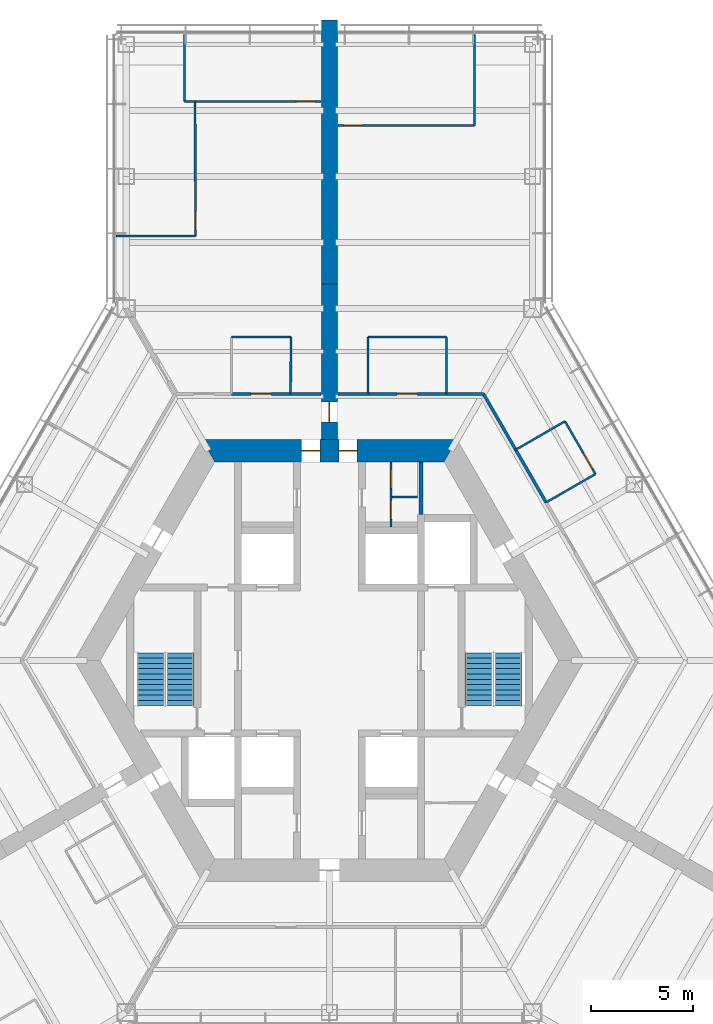
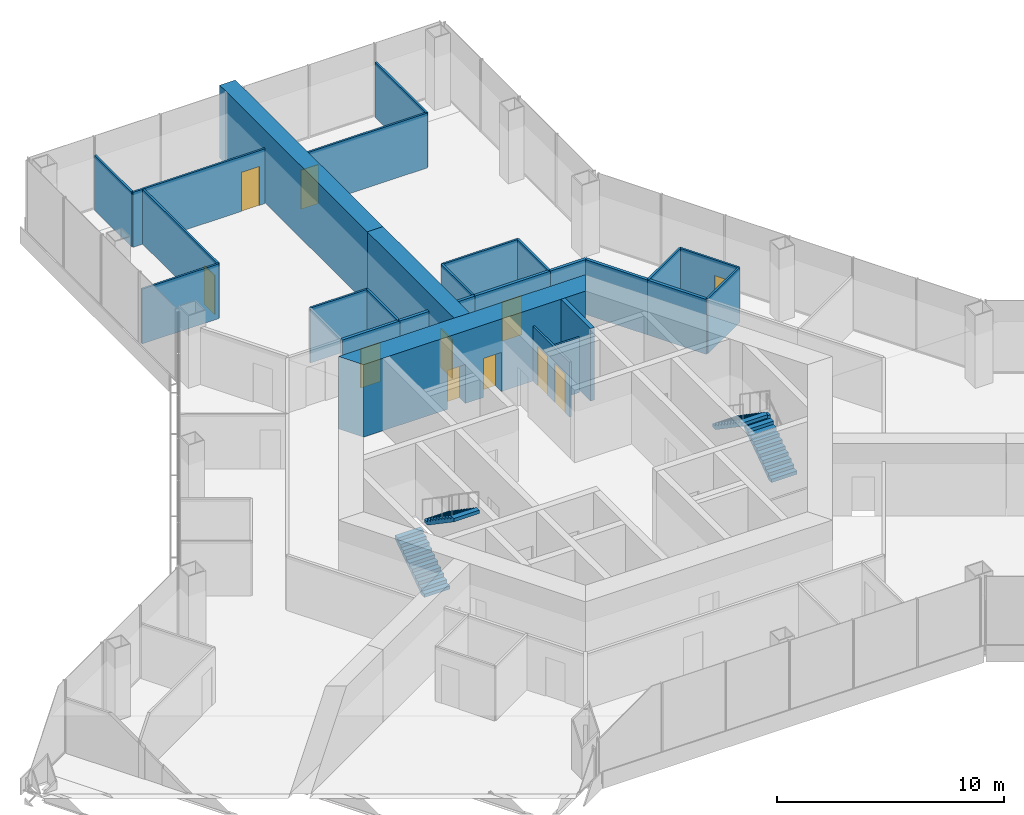
# One storey, part 15 of 18: 28 walls, 11 doors, 4 stair flights, 11 openings, 2 elements without a shape of their own.
"""IFC4 building model written with IfcOpenShell, lengths in metres."""

import ifcopenshell
import ifcopenshell.guid

model = None  # the IFC model being written
_history = None  # IfcOwnerHistory: only IFC2X3 demands one
_inside = {}  # id of a spatial element -> (the spatial element, [elements in it])
_under = {}  # id of a project, library or spatial element -> (it, [spatial elements below it])
_declared = {}  # id of a project -> (the project, [libraries it declares])
_typed = {}  # id of a type object -> (the type object, [elements of that type])
_made_of = {}  # id of a material, layer set ... -> (it, [elements and type objects made of it])


def new_model(schema):
    """Start an empty IFC model of exactly this schema.

    Asked for "IFC4X3", IfcOpenShell would pick the latest addendum, in which some entities
    have other attributes; the version numbers below select the first issue.
    IFC2X3 requires an IfcOwnerHistory on every rooted entity: one is made here for all.
    """
    global model, _history
    if schema == "IFC4X3":
        model = ifcopenshell.file(schema_version=(4, 3, 0, 0))
    else:
        model = ifcopenshell.file(schema=schema)
    _inside.clear()
    _under.clear()
    _declared.clear()
    _typed.clear()
    _made_of.clear()
    _history = None
    if model.schema == "IFC2X3":
        org = make("IfcOrganization", Name="unknown")
        user = make(
            "IfcPersonAndOrganization",
            ThePerson=make("IfcPerson", FamilyName="unknown"),
            TheOrganization=org,
        )
        app = make(
            "IfcApplication",
            ApplicationDeveloper=org,
            Version="unknown",
            ApplicationFullName="unknown",
            ApplicationIdentifier="unknown",
        )
        _history = make(
            "IfcOwnerHistory",
            OwningUser=user,
            OwningApplication=app,
            ChangeAction="ADDED",
            CreationDate=0,
        )
    return model


def make(cls, **values):
    """One entity of the class cls with the attributes given. An attribute that is None is left unset."""
    return model.create_entity(
        cls, **{name: value for name, value in values.items() if value is not None}
    )


def rooted(cls, **values):
    """An entity with a GlobalId (a new one), such as an element, a storey or a relation."""
    return make(cls, GlobalId=ifcopenshell.guid.new(), OwnerHistory=_history, **values)


def si_unit(unit_type, name, prefix=None):
    """IfcSIUnit, for example si_unit("LENGTHUNIT", "METRE", prefix="MILLI")."""
    return make("IfcSIUnit", UnitType=unit_type, Prefix=prefix, Name=name)


def assignment(units):
    """IfcUnitAssignment: the units of a project."""
    return None if units is None else make("IfcUnitAssignment", Units=units)


def point(xyz):
    """IfcCartesianPoint."""
    return None if xyz is None else make("IfcCartesianPoint", Coordinates=xyz)


def direction(xyz):
    """IfcDirection."""
    return None if xyz is None else make("IfcDirection", DirectionRatios=xyz)


def frame(location, z_axis=None, x_axis=None):
    """IfcAxis2Placement3D, a coordinate frame: its origin and axes. An axis left out is left unset."""
    return make(
        "IfcAxis2Placement3D",
        Location=point(location),
        Axis=direction(z_axis),
        RefDirection=direction(x_axis),
    )


def frame_2d(location, x_axis=None):
    """IfcAxis2Placement2D, a coordinate frame in the plane: its origin and x axis."""
    return make(
        "IfcAxis2Placement2D", Location=point(location), RefDirection=direction(x_axis)
    )


def origin():
    """The frame at (0, 0, 0) with its axes left unset."""
    return frame((0.0, 0.0, 0.0))


def place(relative_to, where):
    """IfcLocalPlacement: puts the frame where relative to a parent placement (None: the world)."""
    return make(
        "IfcLocalPlacement", PlacementRelTo=relative_to, RelativePlacement=where
    )


def context(
    kind, dimensions, precision=None, world=None, true_north=None, identifier=None
):
    """IfcGeometricRepresentationContext, for example the 3D "Model" context."""
    return make(
        "IfcGeometricRepresentationContext",
        ContextIdentifier=identifier,
        ContextType=kind,
        CoordinateSpaceDimension=dimensions,
        Precision=precision,
        WorldCoordinateSystem=world,
        TrueNorth=true_north,
    )


def subcontext(parent, identifier, kind, view, scale=None):
    """IfcGeometricRepresentationSubContext, for example "Body" below "Model"."""
    return make(
        "IfcGeometricRepresentationSubContext",
        ContextIdentifier=identifier,
        ContextType=kind,
        ParentContext=parent,
        TargetScale=scale,
        TargetView=view,
    )


def project(units=None, contexts=None):
    """IfcProject with its units and contexts."""
    return rooted(
        "IfcProject",
        Name="project",
        RepresentationContexts=contexts,
        UnitsInContext=assignment(units),
    )


def spatial(cls, under=None, at=None, **own):
    """A site, building, storey or space (cls), placed at a placement, below another one or the project."""
    s = rooted(cls, ObjectPlacement=at, **own)
    if under is not None:
        _under.setdefault(under.id(), (under, []))[1].append(s)
    return s


def polyline(points):
    """IfcPolyline through the points."""
    return make("IfcPolyline", Points=[point(p) for p in points])


def profile(cls, at=None, kind="AREA", **sizes):
    """A parametric profile (cls). Its sizes go by their IFC names, for example OverallWidth=200.0."""
    return make(cls, ProfileType=kind, Position=at, **sizes)


def rectangle(**sizes):
    """IfcRectangleProfileDef."""
    return profile("IfcRectangleProfileDef", **sizes)


def outline(outer, holes=None, kind="AREA"):
    """IfcArbitraryClosedProfileDef: a profile drawn as a closed curve; with holes, ...WithVoids."""
    if holes is None:
        return make("IfcArbitraryClosedProfileDef", ProfileType=kind, OuterCurve=outer)
    return make(
        "IfcArbitraryProfileDefWithVoids",
        ProfileType=kind,
        OuterCurve=outer,
        InnerCurves=holes,
    )


def extrude(swept, where, along, depth):
    """IfcExtrudedAreaSolid: the profile swept, set in the frame where, extruded along a direction by depth."""
    return make(
        "IfcExtrudedAreaSolid",
        SweptArea=swept,
        Position=where,
        ExtrudedDirection=direction(along),
        Depth=depth,
    )


def shape(context_of_items, identifier, shape_type, items):
    """IfcShapeRepresentation: the items that make up one representation, for example the "Body"."""
    return make(
        "IfcShapeRepresentation",
        ContextOfItems=context_of_items,
        RepresentationIdentifier=identifier,
        RepresentationType=shape_type,
        Items=items,
    )


def material(Name=None, Category=None):
    """IfcMaterial."""
    return make("IfcMaterial", Name=Name, Category=Category)


def layer(
    of_material, thickness, ventilated=None, Name=None, Category=None, Priority=None
):
    """IfcMaterialLayer: one layer of a wall or slab, of a material (None: an air gap)."""
    return make(
        "IfcMaterialLayer",
        Material=of_material,
        LayerThickness=thickness,
        IsVentilated=ventilated,
        Name=Name,
        Category=Category,
        Priority=Priority,
    )


def layer_set(layers, Name=None):
    """IfcMaterialLayerSet."""
    return make("IfcMaterialLayerSet", MaterialLayers=layers, LayerSetName=Name)


def made_of(thing, what):
    """Note that an element or type object is made of a material, layer set ...; save() writes the relation."""
    if what is not None:
        _made_of.setdefault(what.id(), (what, []))[1].append(thing)
    return thing


def type_object(cls, material=None, **own):
    """A type object (cls), such as IfcWallType, which elements share."""
    return made_of(rooted(cls, **own), material)


def element(
    cls,
    number,
    at=None,
    inside=None,
    cuts=None,
    type_object=None,
    material=None,
    context=None,
    identifier="Body",
    shape_type=None,
    held_by="IfcProductDefinitionShape",
    body=None,
    shapes=None,
    **own,
):
    """One element of the class cls, such as IfcWall. Its Tag is "e" and its number.

    at: its placement. inside: the storey or other place that contains it. cuts: it is an
    opening in that element (IfcRelVoidsElement). A single representation is given by context,
    identifier, shape_type and body (its items); several are given by shapes. held_by: the class
    of the entity that holds the representations. save() writes the other relations.
    """
    e = rooted(cls, Tag="e%d" % number, ObjectPlacement=at, **own)
    if body is not None:
        shapes = [shape(context, identifier, shape_type, body)]
    if shapes is not None:
        e.Representation = make(held_by, Representations=shapes)
    if inside is not None:
        _inside.setdefault(inside.id(), (inside, []))[1].append(e)
    if cuts is not None:
        rooted(
            "IfcRelVoidsElement", RelatingBuildingElement=cuts, RelatedOpeningElement=e
        )
    if type_object is not None:
        _typed.setdefault(type_object.id(), (type_object, []))[1].append(e)
    return made_of(e, material)


def fill(opening, filler):
    """IfcRelFillsElement: the door or window that sits in an opening."""
    return rooted(
        "IfcRelFillsElement",
        RelatingOpeningElement=opening,
        RelatedBuildingElement=filler,
    )


def aggregate(whole, parts):
    """IfcRelAggregates: a whole, such as a stair, and the parts it consists of."""
    return rooted("IfcRelAggregates", RelatingObject=whole, RelatedObjects=parts)


def save(model, path):
    """Write the relations noted so far, then the file.

    IfcRelAggregates (storeys below a building ...), IfcRelContainedInSpatialStructure (elements
    in a storey), IfcRelDefinesByType, IfcRelAssociatesMaterial and IfcRelDeclares: one each for
    every whole, place, type object, material and project.
    """
    for whole, parts in _under.values():
        aggregate(whole, parts)
    for where, things in _inside.values():
        rooted(
            "IfcRelContainedInSpatialStructure",
            RelatedElements=things,
            RelatingStructure=where,
        )
    for kind, things in _typed.values():
        rooted("IfcRelDefinesByType", RelatedObjects=things, RelatingType=kind)
    for what, things in _made_of.values():
        rooted("IfcRelAssociatesMaterial", RelatedObjects=things, RelatingMaterial=what)
    for by, libraries in _declared.values():
        rooted("IfcRelDeclares", RelatingContext=by, RelatedDefinitions=libraries)
    model.write(path)


model = new_model("IFC4")

# Units and contexts
model_context = context("Model", 3, precision=1e-05, world=origin(), true_north=direction((0.0, 1.0)))
body_context = subcontext(model_context, "Body", "Model", "MODEL_VIEW")
ifc_project = project(units=[si_unit("LENGTHUNIT", "METRE"), si_unit("AREAUNIT", "SQUARE_METRE"), si_unit("VOLUMEUNIT", "CUBIC_METRE"), si_unit("PLANEANGLEUNIT", "RADIAN"), si_unit("MASSUNIT", "GRAM", prefix="KILO")], contexts=[model_context])

# Site, building, storey
site_placement = place(None, origin())
site = spatial("IfcSite", under=ifc_project, at=site_placement, CompositionType="ELEMENT")
building_placement = place(site_placement, origin())
building = spatial("IfcBuilding", under=site, at=building_placement, Name="Kasaneha Research Tower", CompositionType="ELEMENT")
storey_placement = place(building_placement, frame((0.0, 0.0, 111.89990234375)))
storey = spatial("IfcBuildingStorey", under=building, at=storey_placement, Name="L28", CompositionType="ELEMENT", Elevation=111.89990234375)

# Wall, openings, doors
ifc_material_1 = material(Name="Concrete Fc80", Category="concrete")
ifc_layer_1 = layer(ifc_material_1, 1.10009765625)
ifc_layer_set_1 = layer_set([ifc_layer_1], Name="Core wall 1100 Fc80")
wall_type_1 = type_object("IfcWallType", Name="Core wall 1100 Fc80", PredefinedType="SHEAR", material=ifc_layer_set_1)
wall_1_placement = place(storey_placement, frame((5.961181640625, 10.324951171875, 0.0), z_axis=(0.0, 0.0, 1.0), x_axis=(-1.0, 0.0, 0.0)))
wall_1 = element("IfcWall", 1, at=wall_1_placement, inside=storey, type_object=wall_type_1, Name="Core wall 090 L28", PredefinedType="SHEAR", context=body_context, shape_type="SweptSolid", body=[
    extrude(outline(polyline([(-0.317626953125, -0.550048828125), (4.5986328125, -0.550048828125), (5.49853515625, -0.550048828125), (6.423583984375, -0.550048828125), (7.323486328125, -0.550048828125), (12.239990234375, -0.550048828125), (11.604736328125, 0.550048828125), (7.323486328125, 0.550048828125), (6.423583984375, 0.550048828125), (5.49853515625, 0.550048828125), (4.5986328125, 0.550048828125), (0.317626953125, 0.550048828125), (-0.317626953125, -0.550048828125)])), origin(), (0.0, 0.0, 1.0), 3.900146484375),
])
opening_1_placement = place(wall_1_placement, frame((6.423583984375, 0.0, 0.0)))
opening_1 = element("IfcOpeningElement", 2, at=opening_1_placement, cuts=wall_1, Name="Opening L28-D01", PredefinedType="OPENING", context=body_context, shape_type="SweptSolid", body=[
    extrude(rectangle(XDim=0.89990234375, YDim=2.10009765625, at=frame_2d((0.449951171875, 1.050048828125))), frame((0.0, 0.56005859375, 0.0), z_axis=(0.0, -1.0, 0.0), x_axis=(1.0, 0.0, 0.0)), (0.0, 0.0, 1.0), 1.1201171875),
])
opening_2_placement = place(wall_1_placement, frame((4.5986328125, 0.0, 0.0)))
opening_2 = element("IfcOpeningElement", 3, at=opening_2_placement, cuts=wall_1, Name="Opening L28-D02", PredefinedType="OPENING", context=body_context, shape_type="SweptSolid", body=[
    extrude(rectangle(XDim=0.89990234375, YDim=2.10009765625, at=frame_2d((0.449951171875, 1.050048828125))), frame((0.0, 0.56005859375, 0.0), z_axis=(0.0, -1.0, 0.0), x_axis=(1.0, 0.0, 0.0)), (0.0, 0.0, 1.0), 1.1201171875),
])
ifc_material_2 = material(Name="Steel", Category="steel")
door_type_1 = type_object("IfcDoorType", Name="Toilet door FD20 900x2100", OperationType="NOTDEFINED", PredefinedType="DOOR", material=ifc_material_2)
door_1_placement = place(opening_1_placement, origin())
door_1 = element("IfcDoor", 4, at=door_1_placement, inside=storey, type_object=door_type_1, Name="Core door north 1 L28-D01", OperationType="SINGLE_SWING_RIGHT", OverallHeight=2.10009765625, OverallWidth=0.89990234375, PredefinedType="DOOR", context=body_context, shape_type="SweptSolid", body=[
    extrude(rectangle(XDim=0.89990234375, YDim=2.10009765625, at=frame_2d((0.449951171875, 1.050048828125))), frame((0.0, 0.02490234375, 0.0), z_axis=(0.0, -1.0, 0.0), x_axis=(1.0, 0.0, 0.0)), (0.0, 0.0, 1.0), 0.050048828125),
])
fill(opening_1, door_1)
door_2_placement = place(opening_2_placement, origin())
door_2 = element("IfcDoor", 5, at=door_2_placement, inside=storey, type_object=door_type_1, Name="Core door north 2 L28-D02", OperationType="SINGLE_SWING_LEFT", OverallHeight=2.10009765625, OverallWidth=0.89990234375, PredefinedType="DOOR", context=body_context, shape_type="SweptSolid", body=[
    extrude(rectangle(XDim=0.89990234375, YDim=2.10009765625, at=frame_2d((0.449951171875, 1.050048828125))), frame((0.0, 0.02490234375, 0.0), z_axis=(0.0, -1.0, 0.0), x_axis=(1.0, 0.0, 0.0)), (0.0, 0.0, 1.0), 0.050048828125),
])
fill(opening_2, door_2)

ifc_material_3 = material(Name="Gypsum board on steel studs, one layer each side", Category="steel")
ifc_layer_2 = layer(ifc_material_3, 0.10009765625)
ifc_layer_set_2 = layer_set([ifc_layer_2], Name="Office partition 100")
wall_type_2 = type_object("IfcWallType", Name="Office partition 100", PredefinedType="PARTITIONING", material=ifc_layer_set_2)
wall_2_placement = place(storey_placement, frame((3.02490234375, 6.574951171875, 0.0), z_axis=(0.0, 0.0, 1.0), x_axis=(0.0, 1.0, 0.0)))
wall_2 = element("IfcWall", 6, at=wall_2_placement, inside=storey, type_object=wall_type_2, Name="Office partition TBF1 L28", PredefinedType="PARTITIONING", context=body_context, shape_type="SweptSolid", body=[
    extrude(rectangle(XDim=3.199951171875, YDim=0.10009765625, at=frame_2d((1.60009765625, 0.0))), origin(), (0.0, 0.0, 1.0), 2.9501953125),
])
opening_3_placement = place(wall_2_placement, frame((1.91259765625, 0.0, 0.0)))
opening_3 = element("IfcOpeningElement", 7, at=opening_3_placement, cuts=wall_2, Name="Opening L28-D20", PredefinedType="OPENING", context=body_context, shape_type="SweptSolid", body=[
    extrude(rectangle(XDim=0.89990234375, YDim=2.10009765625, at=frame_2d((0.449951171875, 1.050048828125))), frame((0.0, 0.06005859375, 0.0), z_axis=(0.0, -1.0, 0.0), x_axis=(1.0, 0.0, 0.0)), (0.0, 0.0, 1.0), 0.1201171875),
])
opening_4_placement = place(wall_2_placement, frame((0.387451171875, 0.0, 0.0)))
opening_4 = element("IfcOpeningElement", 8, at=opening_4_placement, cuts=wall_2, Name="Opening L28-D21", PredefinedType="OPENING", context=body_context, shape_type="SweptSolid", body=[
    extrude(rectangle(XDim=0.89990234375, YDim=2.10009765625, at=frame_2d((0.449951171875, 1.050048828125))), frame((0.0, 0.06005859375, 0.0), z_axis=(0.0, -1.0, 0.0), x_axis=(1.0, 0.0, 0.0)), (0.0, 0.0, 1.0), 0.1201171875),
])
ifc_material_4 = material(Name="Steel", Category="steel")
door_type_2 = type_object("IfcDoorType", Name="Toilet lobby door FD30 900x2100", OperationType="NOTDEFINED", PredefinedType="DOOR", material=ifc_material_4)
door_3_placement = place(opening_3_placement, origin())
door_3 = element("IfcDoor", 9, at=door_3_placement, inside=storey, type_object=door_type_2, Name="Women's WC door L28-D20", OperationType="SINGLE_SWING_RIGHT", OverallHeight=2.10009765625, OverallWidth=0.89990234375, PredefinedType="DOOR", context=body_context, shape_type="SweptSolid", body=[
    extrude(rectangle(XDim=0.89990234375, YDim=2.10009765625, at=frame_2d((0.449951171875, 1.050048828125))), frame((0.0, 0.02490234375, 0.0), z_axis=(0.0, -1.0, 0.0), x_axis=(1.0, 0.0, 0.0)), (0.0, 0.0, 1.0), 0.050048828125),
])
fill(opening_3, door_3)
door_4_placement = place(opening_4_placement, origin())
door_4 = element("IfcDoor", 10, at=door_4_placement, inside=storey, type_object=door_type_2, Name="Cleaner's store door L28-D21", OperationType="SINGLE_SWING_RIGHT", OverallHeight=2.10009765625, OverallWidth=0.89990234375, PredefinedType="DOOR", context=body_context, shape_type="SweptSolid", body=[
    extrude(rectangle(XDim=0.89990234375, YDim=2.10009765625, at=frame_2d((0.449951171875, 1.050048828125))), frame((0.0, 0.02490234375, 0.0), z_axis=(0.0, -1.0, 0.0), x_axis=(1.0, 0.0, 0.0)), (0.0, 0.0, 1.0), 0.050048828125),
])
fill(opening_4, door_4)

# Walls
wall_3_placement = place(storey_placement, frame((3.074951171875, 8.050048828125, 0.0), z_axis=(0.0, 0.0, 1.0), x_axis=(1.0, 0.0, 0.0)))
element("IfcWall", 11, at=wall_3_placement, inside=storey, type_object=wall_type_2, Name="Office partition TBF2 L28", PredefinedType="PARTITIONING", context=body_context, shape_type="SweptSolid", body=[
    extrude(rectangle(XDim=1.25, YDim=0.10009765625, at=frame_2d((0.625, 0.0))), origin(), (0.0, 0.0, 1.0), 2.9501953125),
])
wall_4_placement = place(storey_placement, frame((1.89990234375, 15.925048828125, 0.0), z_axis=(0.0, 0.0, 1.0), x_axis=(1.0, 0.0, 0.0)))
element("IfcWall", 12, at=wall_4_placement, inside=storey, type_object=wall_type_2, Name="Office partition FAE08 L28", PredefinedType="PARTITIONING", context=body_context, shape_type="SweptSolid", body=[
    extrude(rectangle(XDim=3.857177734375, YDim=0.10009765625, at=frame_2d((1.9287109375, 0.0))), origin(), (0.0, 0.0, 1.0), 2.9501953125),
])
for number, where, z_axis, x_axis, name in (
    (13, (1.904541015625, 13.125, 0.0), (0.0, 0.0, 1.0), (-0.001656637364, 0.999998627775, 0.0), "Office partition FAE09 L28"),
    (14, (5.757080078125, 15.925048828125, 0.0), (0.0, 0.0, 1.0), (-0.001656637364, -0.999998627775, 0.0), "Office partition FAE10 L28"),
    (15, (9.168701171875, 10.369140625, 0.0), (0.0, 0.0, 1.0), (0.865255114713, 0.501331812737, 0.0), "Office partition FAE11 L28"),
):
    element("IfcWall", number, at=place(storey_placement, frame(where, z_axis=z_axis, x_axis=x_axis)), inside=storey, type_object=wall_type_2, Name=name, PredefinedType="PARTITIONING", context=body_context, shape_type="SweptSolid", body=[
        extrude(rectangle(XDim=2.800048828125, YDim=0.10009765625, at=frame_2d((1.39990234375, 0.0))), origin(), (0.0, 0.0, 1.0), 2.9501953125),
    ])

# Wall, opening, door
wall_5_placement = place(storey_placement, frame((11.591552734375, 11.77294921875, 0.0), z_axis=(0.0, 0.0, 1.0), x_axis=(0.499990139034, -0.866031096941, 0.0)))
wall_5 = element("IfcWall", 16, at=wall_5_placement, inside=storey, type_object=wall_type_2, Name="Office partition FAE12 L28", PredefinedType="PARTITIONING", context=body_context, shape_type="SweptSolid", body=[
    extrude(rectangle(XDim=3.0, YDim=0.10009765625, at=frame_2d((1.5, 0.0))), origin(), (0.0, 0.0, 1.0), 2.9501953125),
])
opening_5_placement = place(wall_5_placement, frame((1.800048828125, 0.0, 0.0)))
opening_5 = element("IfcOpeningElement", 17, at=opening_5_placement, cuts=wall_5, Name="Opening L28-D27", PredefinedType="OPENING", context=body_context, shape_type="SweptSolid", body=[
    extrude(rectangle(XDim=0.89990234375, YDim=2.10009765625, at=frame_2d((0.449951171875, 1.050048828125))), frame((0.0, 0.06005859375, 0.0), z_axis=(0.0, -1.0, 0.0), x_axis=(1.0, 0.0, 0.0)), (0.0, 0.0, 1.0), 0.1201171875),
])
ifc_material_5 = material(Name="Timber veneer", Category="wood")
door_type_3 = type_object("IfcDoorType", Name="Office door 900x2100", OperationType="SINGLE_SWING_LEFT", PredefinedType="DOOR", material=ifc_material_5)
door_5_placement = place(opening_5_placement, origin())
door_5 = element("IfcDoor", 18, at=door_5_placement, inside=storey, type_object=door_type_3, Name="Pantry door L28-D27", OperationType="SINGLE_SWING_RIGHT", OverallHeight=2.10009765625, OverallWidth=0.89990234375, PredefinedType="DOOR", context=body_context, shape_type="SweptSolid", body=[
    extrude(rectangle(XDim=0.89990234375, YDim=2.10009765625, at=frame_2d((0.449951171875, 1.050048828125))), frame((0.0, 0.02490234375, 0.0), z_axis=(0.0, -1.0, 0.0), x_axis=(1.0, 0.0, 0.0)), (0.0, 0.0, 1.0), 0.050048828125),
])
fill(opening_5, door_5)

# Wall
wall_6_placement = place(storey_placement, frame((13.091552734375, 9.1748046875, 0.0), z_axis=(0.0, 0.0, 1.0), x_axis=(-0.866855433567, -0.498559582492, 0.0)))
element("IfcWall", 19, at=wall_6_placement, inside=storey, type_object=wall_type_2, Name="Office partition FAE13 L28", PredefinedType="PARTITIONING", context=body_context, shape_type="SweptSolid", body=[
    extrude(rectangle(XDim=2.800048828125, YDim=0.10009765625, at=frame_2d((1.39990234375, 0.0))), origin(), (0.0, 0.0, 1.0), 2.9501953125),
])

# Wall, opening, door
wall_7_placement = place(storey_placement, frame((7.13330078125, 26.320556640625, 0.0), z_axis=(0.0, 0.0, 1.0), x_axis=(-1.0, 0.0, 0.0)))
wall_7 = element("IfcWall", 20, at=wall_7_placement, inside=storey, type_object=wall_type_2, Name="Office partition FAE15 L28", PredefinedType="PARTITIONING", context=body_context, shape_type="SweptSolid", body=[
    extrude(rectangle(XDim=6.71337890625, YDim=0.10009765625, at=frame_2d((3.356689453125, 0.0))), origin(), (0.0, 0.0, 1.0), 2.9501953125),
])
opening_6_placement = place(wall_7_placement, frame((5.51318359375, 0.0, 0.0)))
opening_6 = element("IfcOpeningElement", 21, at=opening_6_placement, cuts=wall_7, Name="Opening L28-D29", PredefinedType="OPENING", context=body_context, shape_type="SweptSolid", body=[
    extrude(rectangle(XDim=0.89990234375, YDim=2.10009765625, at=frame_2d((0.449951171875, 1.050048828125))), frame((0.0, 0.06005859375, 0.0), z_axis=(0.0, -1.0, 0.0), x_axis=(1.0, 0.0, 0.0)), (0.0, 0.0, 1.0), 0.1201171875),
])
door_6_placement = place(opening_6_placement, origin())
door_6 = element("IfcDoor", 22, at=door_6_placement, inside=storey, type_object=door_type_3, Name="Large meeting room door L28-D29", OperationType="SINGLE_SWING_RIGHT", OverallHeight=2.10009765625, OverallWidth=0.89990234375, PredefinedType="DOOR", context=body_context, shape_type="SweptSolid", body=[
    extrude(rectangle(XDim=0.89990234375, YDim=2.10009765625, at=frame_2d((0.449951171875, 1.050048828125))), frame((0.0, 0.02490234375, 0.0), z_axis=(0.0, -1.0, 0.0), x_axis=(1.0, 0.0, 0.0)), (0.0, 0.0, 1.0), 0.050048828125),
])
fill(opening_6, door_6)

# Walls
wall_8_placement = place(storey_placement, frame((7.13330078125, 30.800537109375, 0.0), z_axis=(0.0, 0.0, 1.0), x_axis=(0.0, -1.0, 0.0)))
element("IfcWall", 23, at=wall_8_placement, inside=storey, type_object=wall_type_2, Name="Office partition FAE16 L28", PredefinedType="PARTITIONING", context=body_context, shape_type="SweptSolid", body=[
    extrude(rectangle(XDim=4.47998046875, YDim=0.10009765625, at=frame_2d((2.239990234375, 0.0))), origin(), (0.0, 0.0, 1.0), 2.9501953125),
])
wall_9_placement = place(storey_placement, frame((-4.81689453125, 15.925048828125, 0.0), z_axis=(0.0, 0.0, 1.0), x_axis=(1.0, 0.0, 0.0)))
element("IfcWall", 24, at=wall_9_placement, inside=storey, type_object=wall_type_2, Name="Office partition FAW04 L28", PredefinedType="PARTITIONING", context=body_context, shape_type="SweptSolid", body=[
    extrude(rectangle(XDim=2.9169921875, YDim=0.10009765625, at=frame_2d((1.45849609375, 0.0))), origin(), (0.0, 0.0, 1.0), 2.9501953125),
])
wall_10_placement = place(storey_placement, frame((-1.89990234375, 15.925048828125, 0.0), z_axis=(0.0, 0.0, 1.0), x_axis=(-0.001656637364, -0.999998627775, 0.0)))
element("IfcWall", 25, at=wall_10_placement, inside=storey, type_object=wall_type_2, Name="Office partition FAW06 L28", PredefinedType="PARTITIONING", context=body_context, shape_type="SweptSolid", body=[
    extrude(rectangle(XDim=2.800048828125, YDim=0.10009765625, at=frame_2d((1.39990234375, 0.0))), origin(), (0.0, 0.0, 1.0), 2.9501953125),
])
wall_11_placement = place(storey_placement, frame((-7.1337890625, 30.800537109375, 0.0), z_axis=(0.0, 0.0, 1.0), x_axis=(0.000148864903, -0.99999998892, 0.0)))
element("IfcWall", 26, at=wall_11_placement, inside=storey, type_object=wall_type_2, Name="Office partition FAW07 L28", PredefinedType="PARTITIONING", context=body_context, shape_type="SweptSolid", body=[
    extrude(rectangle(XDim=3.280029296875, YDim=0.10009765625, at=frame_2d((1.64013671875, 0.0))), origin(), (0.0, 0.0, 1.0), 2.9501953125),
])
wall_12_placement = place(storey_placement, frame((-7.13330078125, 27.5205078125, 0.0), z_axis=(0.0, 0.0, 1.0), x_axis=(0.99995394424, -0.009597364181, 0.0)))
element("IfcWall", 27, at=wall_12_placement, inside=storey, type_object=wall_type_2, Name="Office partition FAW08 L28", PredefinedType="PARTITIONING", context=body_context, shape_type="SweptSolid", body=[
    extrude(rectangle(XDim=0.5341796875, YDim=0.10009765625, at=frame_2d((0.26708984375, 0.0))), origin(), (0.0, 0.0, 1.0), 2.9501953125),
])

# Wall, opening, door
wall_13_placement = place(storey_placement, frame((-6.60400390625, 27.52001953125, 0.0), z_axis=(0.0, 0.0, 1.0), x_axis=(0.000589275089, -0.999999826377, 0.0)))
wall_13 = element("IfcWall", 28, at=wall_13_placement, inside=storey, type_object=wall_type_2, Name="Office partition FAW09 L28", PredefinedType="PARTITIONING", context=body_context, shape_type="SweptSolid", body=[
    extrude(rectangle(XDim=6.62890625, YDim=0.10009765625, at=frame_2d((3.314453125, 0.0))), origin(), (0.0, 0.0, 1.0), 2.9501953125),
])
opening_7_placement = place(wall_13_placement, frame((5.428955078125, 0.0, 0.0)))
opening_7 = element("IfcOpeningElement", 29, at=opening_7_placement, cuts=wall_13, Name="Opening L28-D32", PredefinedType="OPENING", context=body_context, shape_type="SweptSolid", body=[
    extrude(rectangle(XDim=0.89990234375, YDim=2.10009765625, at=frame_2d((0.449951171875, 1.050048828125))), frame((0.0, 0.06005859375, 0.0), z_axis=(0.0, -1.0, 0.0), x_axis=(1.0, 0.0, 0.0)), (0.0, 0.0, 1.0), 0.1201171875),
])
door_7_placement = place(opening_7_placement, origin())
door_7 = element("IfcDoor", 30, at=door_7_placement, inside=storey, type_object=door_type_3, Name="Meeting room door L28-D32", OperationType="SINGLE_SWING_RIGHT", OverallHeight=2.10009765625, OverallWidth=0.89990234375, PredefinedType="DOOR", context=body_context, shape_type="SweptSolid", body=[
    extrude(rectangle(XDim=0.89990234375, YDim=2.10009765625, at=frame_2d((0.449951171875, 1.050048828125))), frame((0.0, 0.02490234375, 0.0), z_axis=(0.0, -1.0, 0.0), x_axis=(1.0, 0.0, 0.0)), (0.0, 0.0, 1.0), 0.050048828125),
])
fill(opening_7, door_7)

# Wall
wall_14_placement = place(storey_placement, frame((-6.60009765625, 20.89111328125, 0.0), z_axis=(0.0, 0.0, 1.0), x_axis=(-1.0, 0.0, 0.0)))
element("IfcWall", 31, at=wall_14_placement, inside=storey, type_object=wall_type_2, Name="Office partition FAW10 L28", PredefinedType="PARTITIONING", context=body_context, shape_type="SweptSolid", body=[
    extrude(rectangle(XDim=3.89990234375, YDim=0.10009765625, at=frame_2d((1.949951171875, 0.0))), origin(), (0.0, 0.0, 1.0), 2.9501953125),
])

# Wall, opening, door
wall_15_placement = place(storey_placement, frame((-0.419921875, 27.5205078125, 0.0), z_axis=(0.0, 0.0, 1.0), x_axis=(-1.0, 0.0, 0.0)))
wall_15 = element("IfcWall", 32, at=wall_15_placement, inside=storey, type_object=wall_type_2, Name="Office partition FAW11 L28", PredefinedType="PARTITIONING", context=body_context, shape_type="SweptSolid", body=[
    extrude(rectangle(XDim=6.18408203125, YDim=0.10009765625, at=frame_2d((3.092041015625, 0.0))), origin(), (0.0, 0.0, 1.0), 2.9501953125),
])
opening_8_placement = place(wall_15_placement, frame((0.300048828125, 0.0, 0.0)))
opening_8 = element("IfcOpeningElement", 33, at=opening_8_placement, cuts=wall_15, Name="Opening L28-D33", PredefinedType="OPENING", context=body_context, shape_type="SweptSolid", body=[
    extrude(rectangle(XDim=0.89990234375, YDim=2.10009765625, at=frame_2d((0.449951171875, 1.050048828125))), frame((0.0, 0.06005859375, 0.0), z_axis=(0.0, -1.0, 0.0), x_axis=(1.0, 0.0, 0.0)), (0.0, 0.0, 1.0), 0.1201171875),
])
door_8_placement = place(opening_8_placement, origin())
door_8 = element("IfcDoor", 34, at=door_8_placement, inside=storey, type_object=door_type_3, Name="Manager's office door L28-D33", OperationType="SINGLE_SWING_LEFT", OverallHeight=2.10009765625, OverallWidth=0.89990234375, PredefinedType="DOOR", context=body_context, shape_type="SweptSolid", body=[
    extrude(rectangle(XDim=0.89990234375, YDim=2.10009765625, at=frame_2d((0.449951171875, 1.050048828125))), frame((0.0, 0.02490234375, 0.0), z_axis=(0.0, -1.0, 0.0), x_axis=(1.0, 0.0, 0.0)), (0.0, 0.0, 1.0), 0.050048828125),
])
fill(opening_8, door_8)

# Wall
ifc_material_6 = material(Name="Concrete block", Category="concrete")
ifc_layer_3 = layer(ifc_material_6, 0.199951171875)
ifc_layer_set_3 = layer_set([ifc_layer_3], Name="Riser enclosure wall 200")
wall_type_3 = type_object("IfcWallType", Name="Riser enclosure wall 200", PredefinedType="STANDARD", material=ifc_layer_set_3)
wall_16_placement = place(storey_placement, frame((4.5, 7.175048828125, 0.0), z_axis=(0.0, 0.0, 1.0), x_axis=(0.0, 1.0, 0.0)))
element("IfcWall", 35, at=wall_16_placement, inside=storey, type_object=wall_type_3, Name="Riser enclosure wall L28", PredefinedType="STANDARD", context=body_context, shape_type="SweptSolid", body=[
    extrude(rectangle(XDim=2.599853515625, YDim=0.199951171875, at=frame_2d((1.2998046875, 0.0))), origin(), (0.0, 0.0, 1.0), 3.900146484375),
])

# Wall, opening, door
ifc_material_7 = material(Name="Concrete Fc80", Category="concrete")
ifc_layer_4 = layer(ifc_material_7, 0.800048828125)
ifc_layer_set_4 = layer_set([ifc_layer_4], Name="Spine wall 800 Fc80")
wall_type_4 = type_object("IfcWallType", Name="Spine wall 800 Fc80", PredefinedType="SHEAR", material=ifc_layer_set_4)
wall_17_placement = place(storey_placement, frame((0.0, 10.875, 0.0), z_axis=(0.0, 0.0, 1.0), x_axis=(0.0, 1.0, 0.0)))
wall_17 = element("IfcWall", 36, at=wall_17_placement, inside=storey, type_object=wall_type_4, Name="Spine wall A L28", PredefinedType="SHEAR", context=body_context, shape_type="SweptSolid", body=[
    extrude(rectangle(XDim=7.6455078125, YDim=0.800048828125, at=frame_2d((3.82275390625, 0.0))), origin(), (0.0, 0.0, 1.0), 3.900146484375),
])
opening_9_placement = place(wall_17_placement, frame((0.85009765625, 0.0, 0.0)))
opening_9 = element("IfcOpeningElement", 37, at=opening_9_placement, cuts=wall_17, Name="Opening L28-D17", PredefinedType="OPENING", context=body_context, shape_type="SweptSolid", body=[
    extrude(rectangle(XDim=1.0, YDim=2.10009765625, at=frame_2d((0.5, 1.050048828125))), frame((0.0, 0.41015625, 0.0), z_axis=(0.0, -1.0, 0.0), x_axis=(1.0, 0.0, 0.0)), (0.0, 0.0, 1.0), 0.820068359375),
])
ifc_material_8 = material(Name="Steel", Category="steel")
door_type_4 = type_object("IfcDoorType", Name="Specified fire door FD60 1000x2100", OperationType="NOTDEFINED", PredefinedType="DOOR", material=ifc_material_8)
door_9_placement = place(opening_9_placement, origin())
door_9 = element("IfcDoor", 38, at=door_9_placement, inside=storey, type_object=door_type_4, Name="Spine doorway A L28-D17", OperationType="SINGLE_SWING_LEFT", OverallHeight=2.10009765625, OverallWidth=1.0, PredefinedType="DOOR", context=body_context, shape_type="SweptSolid", body=[
    extrude(rectangle(XDim=1.0, YDim=2.10009765625, at=frame_2d((0.5, 1.050048828125))), frame((0.0, 0.02490234375, 0.0), z_axis=(0.0, -1.0, 0.0), x_axis=(1.0, 0.0, 0.0)), (0.0, 0.0, 1.0), 0.050048828125),
])
fill(opening_9, door_9)

# Wall
wall_18_placement = place(storey_placement, frame((0.0, 18.5205078125, 0.0), z_axis=(0.0, 0.0, 1.0), x_axis=(0.0, 1.0, 0.0)))
element("IfcWall", 39, at=wall_18_placement, inside=storey, type_object=wall_type_4, Name="Spine wall A wing L28", PredefinedType="SHEAR", context=body_context, shape_type="SweptSolid", body=[
    extrude(rectangle(XDim=13.0, YDim=0.800048828125, at=frame_2d((6.5, 0.0))), origin(), (0.0, 0.0, 1.0), 3.900146484375),
])

# Wall, opening, door
ifc_material_9 = material(Name="Gypsum board on steel studs, two layers each side", Category="steel")
ifc_layer_5 = layer(ifc_material_9, 0.14990234375)
ifc_layer_set_5 = layer_set([ifc_layer_5], Name="Suite partition 150")
wall_type_5 = type_object("IfcWallType", Name="Suite partition 150", PredefinedType="PARTITIONING", material=ifc_layer_set_5)
wall_19_placement = place(storey_placement, frame((1.89501953125, 13.125, 0.0), z_axis=(0.0, 0.0, 1.0), x_axis=(1.0, 0.0, 0.0)))
wall_19 = element("IfcWall", 40, at=wall_19_placement, inside=storey, type_object=wall_type_5, Name="Suite partition FAE01 L28", PredefinedType="PARTITIONING", context=body_context, shape_type="SweptSolid", body=[
    extrude(rectangle(XDim=3.866943359375, YDim=0.14990234375, at=frame_2d((1.93359375, 0.0))), origin(), (0.0, 0.0, 1.0), 2.9501953125),
])
opening_10_placement = place(wall_19_placement, frame((1.43359375, 0.0, 0.0)))
opening_10 = element("IfcOpeningElement", 41, at=opening_10_placement, cuts=wall_19, Name="Opening L28-D25", PredefinedType="OPENING", context=body_context, shape_type="SweptSolid", body=[
    extrude(rectangle(XDim=1.0, YDim=2.10009765625, at=frame_2d((0.5, 1.050048828125))), frame((0.0, 0.0849609375, 0.0), z_axis=(0.0, -1.0, 0.0), x_axis=(1.0, 0.0, 0.0)), (0.0, 0.0, 1.0), 0.169921875),
])
ifc_material_10 = material(Name="Steel", Category="steel")
door_type_5 = type_object("IfcDoorType", Name="Suite entrance door FD60 1000x2100", OperationType="NOTDEFINED", PredefinedType="DOOR", material=ifc_material_10)
door_10_placement = place(opening_10_placement, origin())
door_10 = element("IfcDoor", 42, at=door_10_placement, inside=storey, type_object=door_type_5, Name="Suite entrance door L28-D25", OperationType="SINGLE_SWING_LEFT", OverallHeight=2.10009765625, OverallWidth=1.0, PredefinedType="DOOR", context=body_context, shape_type="SweptSolid", body=[
    extrude(rectangle(XDim=1.0, YDim=2.10009765625, at=frame_2d((0.5, 1.050048828125))), frame((0.0, 0.02490234375, 0.0), z_axis=(0.0, -1.0, 0.0), x_axis=(1.0, 0.0, 0.0)), (0.0, 0.0, 1.0), 0.050048828125),
])
fill(opening_10, door_10)

# Walls
wall_20_placement = place(storey_placement, frame((9.1640625, 10.377197265625, 0.0), z_axis=(0.0, 0.0, 1.0), x_axis=(0.500038395149, -0.8660032352, 0.0)))
element("IfcWall", 43, at=wall_20_placement, inside=storey, type_object=wall_type_5, Name="Suite partition FAE02 L28", PredefinedType="PARTITIONING", context=body_context, shape_type="SweptSolid", body=[
    extrude(rectangle(XDim=3.010009765625, YDim=0.14990234375, at=frame_2d((1.5048828125, 0.0))), origin(), (0.0, 0.0, 1.0), 2.9501953125),
])
wall_21_placement = place(storey_placement, frame((0.419921875, 13.125, 0.0), z_axis=(0.0, 0.0, 1.0), x_axis=(1.0, 0.0, 0.0)))
element("IfcWall", 44, at=wall_21_placement, inside=storey, type_object=wall_type_5, Name="Suite partition FAE04 L28", PredefinedType="PARTITIONING", context=body_context, shape_type="SweptSolid", body=[
    extrude(rectangle(XDim=1.484619140625, YDim=0.14990234375, at=frame_2d((0.7421875, 0.0))), origin(), (0.0, 0.0, 1.0), 2.9501953125),
])
wall_22_placement = place(storey_placement, frame((5.75244140625, 13.125, 0.0), z_axis=(0.0, 0.0, 1.0), x_axis=(1.0, 0.0, 0.0)))
element("IfcWall", 45, at=wall_22_placement, inside=storey, type_object=wall_type_5, Name="Suite partition FAE05 L28", PredefinedType="PARTITIONING", context=body_context, shape_type="SweptSolid", body=[
    extrude(rectangle(XDim=1.8251953125, YDim=0.14990234375, at=frame_2d((0.91259765625, 0.0))), origin(), (0.0, 0.0, 1.0), 2.9501953125),
])
wall_23_placement = place(storey_placement, frame((7.57763671875, 13.125, 0.0), z_axis=(0.0, 0.0, 1.0), x_axis=(0.499992528944, -0.866029717158, 0.0)))
element("IfcWall", 46, at=wall_23_placement, inside=storey, type_object=wall_type_5, Name="Suite partition FAE06 L28", PredefinedType="PARTITIONING", context=body_context, shape_type="SweptSolid", body=[
    extrude(rectangle(XDim=3.18212890625, YDim=0.14990234375, at=frame_2d((1.591064453125, 0.0))), origin(), (0.0, 0.0, 1.0), 2.9501953125),
])

# Wall, opening, door
wall_24_placement = place(storey_placement, frame((-4.822021484375, 13.125, 0.0), z_axis=(0.0, 0.0, 1.0), x_axis=(1.0, 0.0, 0.0)))
wall_24 = element("IfcWall", 47, at=wall_24_placement, inside=storey, type_object=wall_type_5, Name="Suite partition FAW01 L28", PredefinedType="PARTITIONING", context=body_context, shape_type="SweptSolid", body=[
    extrude(rectangle(XDim=2.927001953125, YDim=0.14990234375, at=frame_2d((1.46337890625, 0.0))), origin(), (0.0, 0.0, 1.0), 2.9501953125),
])
opening_11_placement = place(wall_24_placement, frame((0.96337890625, 0.0, 0.0)))
opening_11 = element("IfcOpeningElement", 48, at=opening_11_placement, cuts=wall_24, Name="Opening L28-D30", PredefinedType="OPENING", context=body_context, shape_type="SweptSolid", body=[
    extrude(rectangle(XDim=1.0, YDim=2.10009765625, at=frame_2d((0.5, 1.050048828125))), frame((0.0, 0.0849609375, 0.0), z_axis=(0.0, -1.0, 0.0), x_axis=(1.0, 0.0, 0.0)), (0.0, 0.0, 1.0), 0.169921875),
])
door_11_placement = place(opening_11_placement, origin())
door_11 = element("IfcDoor", 49, at=door_11_placement, inside=storey, type_object=door_type_5, Name="Suite entrance door L28-D30", OperationType="SINGLE_SWING_LEFT", OverallHeight=2.10009765625, OverallWidth=1.0, PredefinedType="DOOR", context=body_context, shape_type="SweptSolid", body=[
    extrude(rectangle(XDim=1.0, YDim=2.10009765625, at=frame_2d((0.5, 1.050048828125))), frame((0.0, 0.02490234375, 0.0), z_axis=(0.0, -1.0, 0.0), x_axis=(1.0, 0.0, 0.0)), (0.0, 0.0, 1.0), 0.050048828125),
])
fill(opening_11, door_11)

# Wall
wall_25_placement = place(storey_placement, frame((-1.904541015625, 13.125, 0.0), z_axis=(0.0, 0.0, 1.0), x_axis=(1.0, 0.0, 0.0)))
element("IfcWall", 50, at=wall_25_placement, inside=storey, type_object=wall_type_5, Name="Suite partition FAW03 L28", PredefinedType="PARTITIONING", context=body_context, shape_type="SweptSolid", body=[
    extrude(rectangle(XDim=1.484619140625, YDim=0.14990234375, at=frame_2d((0.7421875, 0.0))), origin(), (0.0, 0.0, 1.0), 2.9501953125),
])

# Stair, stair flights
ifc_material_11 = material(Name="Concrete Fc24", Category="concrete")
stair_type = type_object("IfcStairType", Name="Half-turn stair 22 risers", PredefinedType="HALF_TURN_STAIR", material=ifc_material_11)
stair_1_placement = place(storey_placement, origin())
stair_1 = element("IfcStair", 51, at=stair_1_placement, inside=storey, type_object=stair_type, Name="Stair 1 L28", PredefinedType="HALF_TURN_STAIR")
ifc_material_12 = material(Name="Concrete Fc24", Category="concrete")
stair_flight_type = type_object("IfcStairFlightType", Name="Stair flight 11 risers 177.3", PredefinedType="STRAIGHT", material=ifc_material_12)
stair_flight_1_placement = place(storey_placement, frame((8.824951171875, -2.22509765625, 0.0), z_axis=(0.0, 0.0, 1.0), x_axis=(0.0, 1.0, 0.0)))
stair_flight_1 = element("IfcStairFlight", 52, at=stair_flight_1_placement, type_object=stair_flight_type, Name="ST1-22R flight 1", NumberOfRisers=11, NumberOfTreads=10, PredefinedType="STRAIGHT", RiserHeight=0.177272727, TreadLength=0.26, context=body_context, shape_type="SweptSolid", body=[
    extrude(outline(polyline([(0.0, 0.0), (0.0, 0.17724609375), (0.260009765625, 0.17724609375), (0.260009765625, 0.3544921875), (0.52001953125, 0.3544921875), (0.52001953125, 0.53173828125), (0.780029296875, 0.53173828125), (0.780029296875, 0.708984375), (1.0400390625, 0.708984375), (1.0400390625, 0.886474609375), (1.300048828125, 0.886474609375), (1.300048828125, 1.063720703125), (1.56005859375, 1.063720703125), (1.56005859375, 1.240966796875), (1.820068359375, 1.240966796875), (1.820068359375, 1.418212890625), (2.080078125, 1.418212890625), (2.080078125, 1.595458984375), (2.340087890625, 1.595458984375), (2.340087890625, 1.772705078125), (2.60009765625, 1.772705078125), (2.60009765625, 1.949951171875), (2.60009765625, 1.59130859375), (0.26611328125, 0.0), (0.0, 0.0)])), frame((0.0, 0.64990234375, 0.0), z_axis=(0.0, -1.0, 0.0), x_axis=(1.0, 0.0, 0.0)), (0.0, 0.0, 1.0), 1.300048828125),
])
stair_flight_2_placement = place(storey_placement, frame((7.324951171875, 0.375, 1.9501953125), z_axis=(0.0, 0.0, 1.0), x_axis=(0.0, -1.0, 0.0)))
stair_flight_2 = element("IfcStairFlight", 53, at=stair_flight_2_placement, type_object=stair_flight_type, Name="ST1-22R flight 2", NumberOfRisers=11, NumberOfTreads=10, PredefinedType="STRAIGHT", RiserHeight=0.177272727, TreadLength=0.26, context=body_context, shape_type="SweptSolid", body=[
    extrude(outline(polyline([(0.0, 0.0), (0.0, 0.17724609375), (0.260009765625, 0.17724609375), (0.260009765625, 0.3544921875), (0.52001953125, 0.3544921875), (0.52001953125, 0.53173828125), (0.780029296875, 0.53173828125), (0.780029296875, 0.708984375), (1.0400390625, 0.708984375), (1.0400390625, 0.886474609375), (1.300048828125, 0.886474609375), (1.300048828125, 1.063720703125), (1.56005859375, 1.063720703125), (1.56005859375, 1.240966796875), (1.820068359375, 1.240966796875), (1.820068359375, 1.418212890625), (2.080078125, 1.418212890625), (2.080078125, 1.595458984375), (2.340087890625, 1.595458984375), (2.340087890625, 1.772705078125), (2.60009765625, 1.772705078125), (2.60009765625, 1.949951171875), (2.60009765625, 1.59130859375), (0.26611328125, 0.0), (0.0, 0.0)])), frame((0.0, 0.64990234375, 0.0), z_axis=(0.0, -1.0, 0.0), x_axis=(1.0, 0.0, 0.0)), (0.0, 0.0, 1.0), 1.300048828125),
])
aggregate(stair_1, [stair_flight_1, stair_flight_2])

stair_2_placement = place(storey_placement, origin())
stair_2 = element("IfcStair", 54, at=stair_2_placement, inside=storey, type_object=stair_type, Name="Stair 2 L28", PredefinedType="HALF_TURN_STAIR")
stair_flight_3_placement = place(storey_placement, frame((-8.824951171875, -2.22509765625, 0.0), z_axis=(0.0, 0.0, 1.0), x_axis=(0.0, 1.0, 0.0)))
stair_flight_3 = element("IfcStairFlight", 55, at=stair_flight_3_placement, type_object=stair_flight_type, Name="ST2-22R flight 1", NumberOfRisers=11, NumberOfTreads=10, PredefinedType="STRAIGHT", RiserHeight=0.177272727, TreadLength=0.26, context=body_context, shape_type="SweptSolid", body=[
    extrude(outline(polyline([(0.0, 0.0), (0.0, 0.17724609375), (0.260009765625, 0.17724609375), (0.260009765625, 0.3544921875), (0.52001953125, 0.3544921875), (0.52001953125, 0.53173828125), (0.780029296875, 0.53173828125), (0.780029296875, 0.708984375), (1.0400390625, 0.708984375), (1.0400390625, 0.886474609375), (1.300048828125, 0.886474609375), (1.300048828125, 1.063720703125), (1.56005859375, 1.063720703125), (1.56005859375, 1.240966796875), (1.820068359375, 1.240966796875), (1.820068359375, 1.418212890625), (2.080078125, 1.418212890625), (2.080078125, 1.595458984375), (2.340087890625, 1.595458984375), (2.340087890625, 1.772705078125), (2.60009765625, 1.772705078125), (2.60009765625, 1.949951171875), (2.60009765625, 1.59130859375), (0.26611328125, 0.0), (0.0, 0.0)])), frame((0.0, 0.64990234375, 0.0), z_axis=(0.0, -1.0, 0.0), x_axis=(1.0, 0.0, 0.0)), (0.0, 0.0, 1.0), 1.300048828125),
])
stair_flight_4_placement = place(storey_placement, frame((-7.324951171875, 0.375, 1.9501953125), z_axis=(0.0, 0.0, 1.0), x_axis=(0.0, -1.0, 0.0)))
stair_flight_4 = element("IfcStairFlight", 56, at=stair_flight_4_placement, type_object=stair_flight_type, Name="ST2-22R flight 2", NumberOfRisers=11, NumberOfTreads=10, PredefinedType="STRAIGHT", RiserHeight=0.177272727, TreadLength=0.26, context=body_context, shape_type="SweptSolid", body=[
    extrude(outline(polyline([(0.0, 0.0), (0.0, 0.17724609375), (0.260009765625, 0.17724609375), (0.260009765625, 0.3544921875), (0.52001953125, 0.3544921875), (0.52001953125, 0.53173828125), (0.780029296875, 0.53173828125), (0.780029296875, 0.708984375), (1.0400390625, 0.708984375), (1.0400390625, 0.886474609375), (1.300048828125, 0.886474609375), (1.300048828125, 1.063720703125), (1.56005859375, 1.063720703125), (1.56005859375, 1.240966796875), (1.820068359375, 1.240966796875), (1.820068359375, 1.418212890625), (2.080078125, 1.418212890625), (2.080078125, 1.595458984375), (2.340087890625, 1.595458984375), (2.340087890625, 1.772705078125), (2.60009765625, 1.772705078125), (2.60009765625, 1.949951171875), (2.60009765625, 1.59130859375), (0.26611328125, 0.0), (0.0, 0.0)])), frame((0.0, 0.64990234375, 0.0), z_axis=(0.0, -1.0, 0.0), x_axis=(1.0, 0.0, 0.0)), (0.0, 0.0, 1.0), 1.300048828125),
])
aggregate(stair_2, [stair_flight_3, stair_flight_4])

save(model, "model.ifc")
